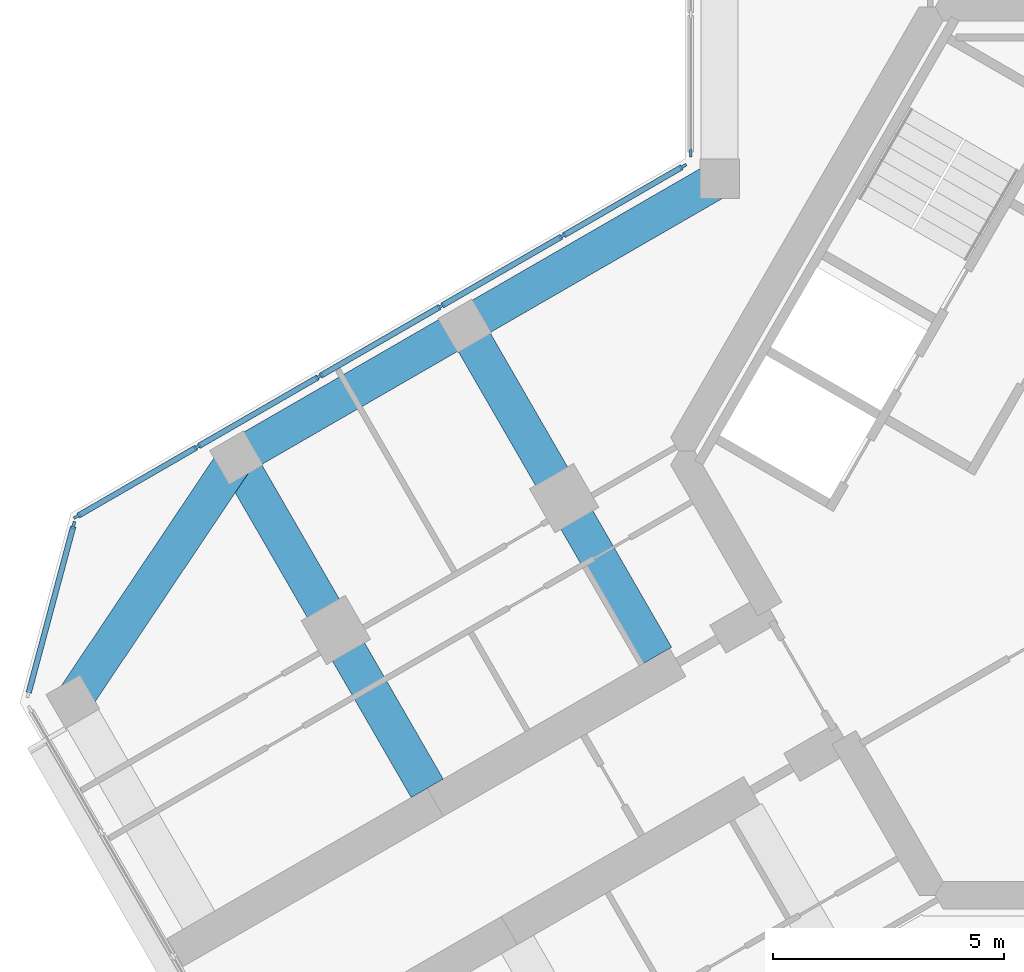
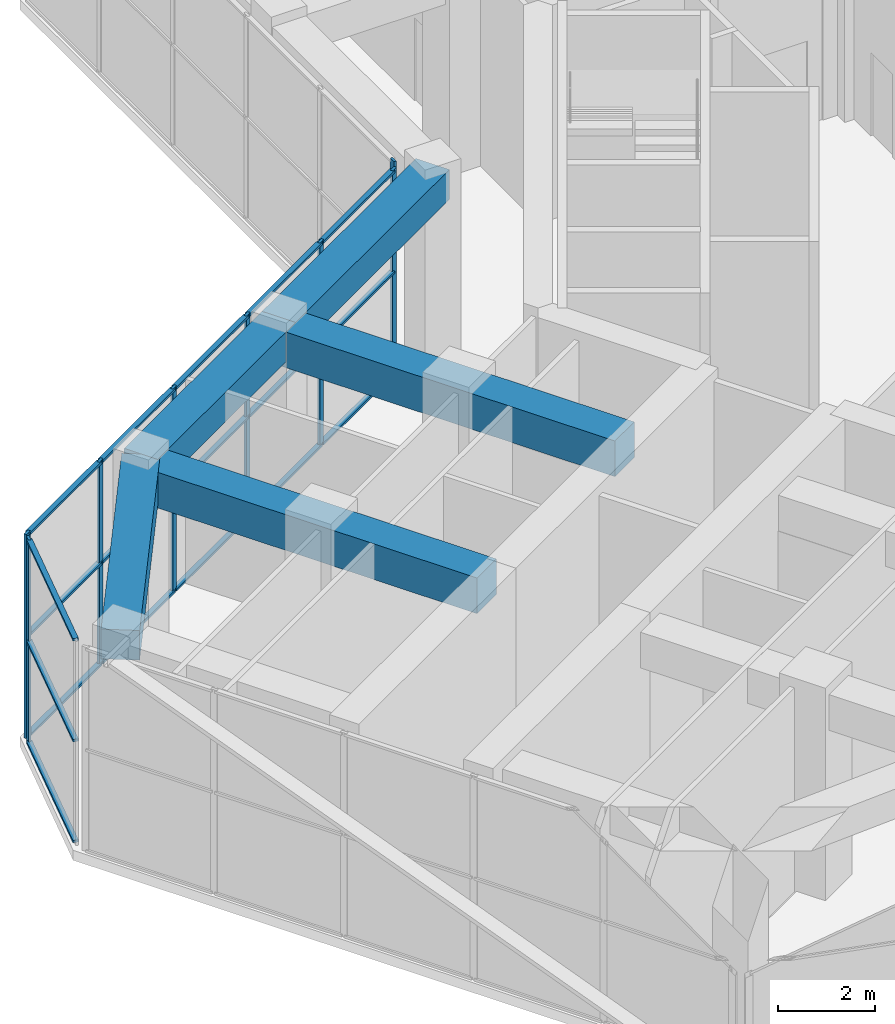
# One storey, part 4 of 16: 26 members, 5 beams, 3 elements without a shape of their own.
"""IFC4 building model written with IfcOpenShell, lengths in metres."""

from ifc_helpers import new_model, si_unit, direction, frame, origin, origin_2d, place, context, subcontext, project, spatial, rectangle, extrude, material, material_profile, profile_set, type_object, element, aggregate, save


model = new_model("IFC4")

# Units and contexts
model_context = context("Model", 3, precision=1e-05, world=origin(), true_north=direction((0.0, 1.0)))
body_context = subcontext(model_context, "Body", "Model", "MODEL_VIEW")
ifc_project = project(units=[si_unit("LENGTHUNIT", "METRE"), si_unit("AREAUNIT", "SQUARE_METRE"), si_unit("VOLUMEUNIT", "CUBIC_METRE"), si_unit("PLANEANGLEUNIT", "RADIAN"), si_unit("MASSUNIT", "GRAM", prefix="KILO")], contexts=[model_context])

# Site, building, storey
site_placement = place(None, origin())
site = spatial("IfcSite", under=ifc_project, at=site_placement, CompositionType="ELEMENT")
building_placement = place(site_placement, origin())
building = spatial("IfcBuilding", under=site, at=building_placement, Name="Kosmar Iwan School Tower", CompositionType="ELEMENT")
storey_placement = place(building_placement, frame((0.0, 0.0, 226.199951171875)))
storey = spatial("IfcBuildingStorey", under=building, at=storey_placement, Name="L57", CompositionType="ELEMENT", Elevation=226.199951171875)

# Curtain wall, member
ifc_material_1 = material(Name="Dark glass in black aluminium frame", Category="aluminium")
curtain_wall_type_1 = type_object("IfcCurtainWallType", Name="Winter garden curtain wall", PredefinedType="USERDEFINED", material=ifc_material_1)
curtain_wall_1_placement = place(storey_placement, origin())
curtain_wall_1 = element("IfcCurtainWall", 1, at=curtain_wall_1_placement, inside=storey, type_object=curtain_wall_type_1, Name="Curtain wall L57-F08", ObjectType="WINTER GARDEN CURTAIN WALL", PredefinedType="USERDEFINED")
ifc_material_2 = material(Name="Black anodised aluminium", Category="aluminium")
ifc_material_profile_1 = material_profile(ifc_material_2, rectangle(XDim=0.06005859375, YDim=0.159912109375, at=origin_2d()), Name="MULLION 60x160")
ifc_profile_set_1 = profile_set([ifc_material_profile_1], Name="Black anodised aluminium")
member_type_1 = type_object("IfcMemberType", Name="Mullion 60x160", PredefinedType="MULLION", material=ifc_profile_set_1)
member_1_placement = place(storey_placement, frame((-10.824951171875, 6.43896484375, 0.0), z_axis=(0.0, 0.0, 1.0), x_axis=(-1.0, 0.0, 0.0)))
member_1 = element("IfcMember", 2, at=member_1_placement, type_object=member_type_1, Name="CW7 mullion 1", PredefinedType="MULLION", context=body_context, shape_type="SweptSolid", body=[
    extrude(rectangle(XDim=0.06005859375, YDim=0.159912109375, at=origin_2d()), origin(), (0.0, 0.0, 1.0), 5.150146484375),
])
aggregate(curtain_wall_1, [member_1])

# Curtain wall, members
curtain_wall_2_placement = place(storey_placement, origin())
curtain_wall_2 = element("IfcCurtainWall", 3, at=curtain_wall_2_placement, inside=storey, type_object=curtain_wall_type_1, Name="Curtain wall L57-F09", ObjectType="WINTER GARDEN CURTAIN WALL", PredefinedType="USERDEFINED")
member_2_placement = place(storey_placement, frame((-10.98876953125, 6.1552734375, 0.0), z_axis=(0.0, 0.0, 1.0), x_axis=(0.500000031258, -0.866025385738, 0.0)))
member_2 = element("IfcMember", 4, at=member_2_placement, type_object=member_type_1, Name="CW7 mullion 1", PredefinedType="MULLION", context=body_context, shape_type="SweptSolid", body=[
    extrude(rectangle(XDim=0.06005859375, YDim=0.159912109375, at=origin_2d()), origin(), (0.0, 0.0, 1.0), 5.150146484375),
])
member_3_placement = place(storey_placement, frame((-13.59375, 4.6513671875, 0.0), z_axis=(0.0, 0.0, 1.0), x_axis=(0.500000031258, -0.866025385738, 0.0)))
member_3 = element("IfcMember", 5, at=member_3_placement, type_object=member_type_1, Name="CW7 mullion 2", PredefinedType="MULLION", context=body_context, shape_type="SweptSolid", body=[
    extrude(rectangle(XDim=0.06005859375, YDim=0.159912109375, at=origin_2d()), origin(), (0.0, 0.0, 1.0), 5.150146484375),
])
member_4_placement = place(storey_placement, frame((-16.224609375, 3.13232421875, 0.0), z_axis=(0.0, 0.0, 1.0), x_axis=(0.500000031258, -0.866025385738, 0.0)))
member_4 = element("IfcMember", 6, at=member_4_placement, type_object=member_type_1, Name="CW7 mullion 3", PredefinedType="MULLION", context=body_context, shape_type="SweptSolid", body=[
    extrude(rectangle(XDim=0.06005859375, YDim=0.159912109375, at=origin_2d()), origin(), (0.0, 0.0, 1.0), 5.150146484375),
])
member_5_placement = place(storey_placement, frame((-18.85546875, 1.613525390625, 0.0), z_axis=(0.0, 0.0, 1.0), x_axis=(0.500000031258, -0.866025385738, 0.0)))
member_5 = element("IfcMember", 7, at=member_5_placement, type_object=member_type_1, Name="CW7 mullion 4", PredefinedType="MULLION", context=body_context, shape_type="SweptSolid", body=[
    extrude(rectangle(XDim=0.06005859375, YDim=0.159912109375, at=origin_2d()), origin(), (0.0, 0.0, 1.0), 5.150146484375),
])
member_6_placement = place(storey_placement, frame((-21.486328125, 0.094482421875, 0.0), z_axis=(0.0, 0.0, 1.0), x_axis=(0.500000031258, -0.866025385738, 0.0)))
member_6 = element("IfcMember", 8, at=member_6_placement, type_object=member_type_1, Name="CW7 mullion 5", PredefinedType="MULLION", context=body_context, shape_type="SweptSolid", body=[
    extrude(rectangle(XDim=0.06005859375, YDim=0.159912109375, at=origin_2d()), origin(), (0.0, 0.0, 1.0), 5.150146484375),
])
member_7_placement = place(storey_placement, frame((-24.091064453125, -1.409423828125, 0.0), z_axis=(0.0, 0.0, 1.0), x_axis=(0.500000031258, -0.866025385738, 0.0)))
member_7 = element("IfcMember", 9, at=member_7_placement, type_object=member_type_1, Name="CW7 mullion 6", PredefinedType="MULLION", context=body_context, shape_type="SweptSolid", body=[
    extrude(rectangle(XDim=0.06005859375, YDim=0.159912109375, at=origin_2d()), origin(), (0.0, 0.0, 1.0), 5.150146484375),
])

# Curtain wall, member
ifc_material_3 = material(Name="Dark glass in black aluminium frame", Category="aluminium")
curtain_wall_type_2 = type_object("IfcCurtainWallType", Name="Chamfer curtain wall dark glass", PredefinedType="USERDEFINED", material=ifc_material_3)
curtain_wall_3_placement = place(storey_placement, origin())
curtain_wall_3 = element("IfcCurtainWall", 10, at=curtain_wall_3_placement, inside=storey, type_object=curtain_wall_type_2, Name="Curtain wall L57-F10", ObjectType="FACETED CURTAIN WALL", PredefinedType="USERDEFINED")
member_8_placement = place(storey_placement, frame((-24.163818359375, -1.59814453125, 0.0), z_axis=(0.0, 0.0, 1.0), x_axis=(0.965925875495, -0.258818861462, 0.0)))
member_8 = element("IfcMember", 11, at=member_8_placement, type_object=member_type_1, Name="CW2 mullion 1", PredefinedType="MULLION", context=body_context, shape_type="SweptSolid", body=[
    extrude(rectangle(XDim=0.06005859375, YDim=0.159912109375, at=origin_2d()), origin(), (0.0, 0.0, 1.0), 5.150146484375),
])

# Beams
ifc_material_4 = material(Name="Concrete C50/60", Category="concrete")
ifc_material_profile_2 = material_profile(ifc_material_4, rectangle(XDim=0.800048828125, YDim=0.75, at=origin_2d()), Name="RC 800x750")
ifc_profile_set_2 = profile_set([ifc_material_profile_2], Name="Concrete C50/60")
beam_type_1 = type_object("IfcBeamType", Name="RC edge beam 800x750", PredefinedType="BEAM", material=ifc_profile_set_2)
beam_1_placement = place(storey_placement, frame((-10.199951171875, 5.888916015625, 4.775146484375), z_axis=(-0.866030912664, -0.49999045822, 0.0), x_axis=(0.49999045822, -0.866030912664, 0.0)))
element("IfcBeam", 12, at=beam_1_placement, inside=storey, type_object=beam_type_1, Name="Edge beam BR1", PredefinedType="BEAM", context=body_context, shape_type="SweptSolid", body=[
    extrude(rectangle(XDim=0.800048828125, YDim=0.75, at=origin_2d()), origin(), (0.0, 0.0, 1.0), 6.36083984375),
])
beam_2_placement = place(storey_placement, frame((-15.708740234375, 2.70849609375, 4.775146484375), z_axis=(-0.866025820012, -0.499999279071, 0.0), x_axis=(0.499999279071, -0.866025820012, 0.0)))
element("IfcBeam", 13, at=beam_2_placement, inside=storey, type_object=beam_type_1, Name="Edge beam BR2", PredefinedType="BEAM", context=body_context, shape_type="SweptSolid", body=[
    extrude(rectangle(XDim=0.800048828125, YDim=0.75, at=origin_2d()), origin(), (0.0, 0.0, 1.0), 5.7001953125),
])
ifc_material_5 = material(Name="Concrete C50/60", Category="concrete")
ifc_material_profile_3 = material_profile(ifc_material_5, rectangle(XDim=0.800048828125, YDim=0.75, at=origin_2d()), Name="RC 800x750")
ifc_profile_set_3 = profile_set([ifc_material_profile_3], Name="Concrete C50/60")
beam_type_2 = type_object("IfcBeamType", Name="RC tip beam 800x750", PredefinedType="BEAM", material=ifc_profile_set_3)
beam_3_placement = place(storey_placement, frame((-20.645263671875, -0.1416015625, 4.775146484375), z_axis=(-0.556827604145, -0.83062808721, 0.0), x_axis=(0.83062808721, -0.556827604145, 0.0)))
element("IfcBeam", 14, at=beam_3_placement, inside=storey, type_object=beam_type_2, Name="Tip beam BR", PredefinedType="BEAM", context=body_context, shape_type="SweptSolid", body=[
    extrude(rectangle(XDim=0.800048828125, YDim=0.75, at=origin_2d()), origin(), (0.0, 0.0, 1.0), 6.3505859375),
])
ifc_material_6 = material(Name="Concrete C50/60", Category="concrete")
ifc_material_profile_4 = material_profile(ifc_material_6, rectangle(XDim=0.800048828125, YDim=0.89990234375, at=origin_2d()), Name="RC 800x900")
ifc_profile_set_4 = profile_set([ifc_material_profile_4], Name="Concrete C50/60")
beam_type_3 = type_object("IfcBeamType", Name="RC transverse beam 800x900", PredefinedType="BEAM", material=ifc_profile_set_4)
beam_4_placement = place(storey_placement, frame((-15.708740234375, 2.70849609375, 4.699951171875), z_axis=(0.499996545922, -0.866027397988, 0.0), x_axis=(0.866027397988, 0.499996545922, 0.0)))
element("IfcBeam", 15, at=beam_4_placement, inside=storey, type_object=beam_type_3, Name="Transverse beam BR1", PredefinedType="BEAM", context=body_context, shape_type="SweptSolid", body=[
    extrude(rectangle(XDim=0.800048828125, YDim=0.89990234375, at=origin_2d()), origin(), (0.0, 0.0, 1.0), 8.25),
])
beam_5_placement = place(storey_placement, frame((-20.645263671875, -0.1416015625, 4.699951171875), z_axis=(0.500009360108, -0.866019999656, 0.0), x_axis=(0.866019999656, 0.500009360108, 0.0)))
element("IfcBeam", 16, at=beam_5_placement, inside=storey, type_object=beam_type_3, Name="Transverse beam BR2", PredefinedType="BEAM", context=body_context, shape_type="SweptSolid", body=[
    extrude(rectangle(XDim=0.800048828125, YDim=0.89990234375, at=origin_2d()), origin(), (0.0, 0.0, 1.0), 8.249755859375),
])

# Member
ifc_material_7 = material(Name="Black anodised aluminium", Category="aluminium")
ifc_material_profile_5 = material_profile(ifc_material_7, rectangle(XDim=0.1201171875, YDim=0.06005859375, at=origin_2d()), Name="TRANSOM 60x120")
ifc_profile_set_5 = profile_set([ifc_material_profile_5], Name="Black anodised aluminium")
member_type_2 = type_object("IfcMemberType", Name="Transom 60x120", PredefinedType="USERDEFINED", material=ifc_profile_set_5)
member_9_placement = place(storey_placement, frame((-11.014892578125, 6.14013671875, 0.030029296875), z_axis=(-0.866017313224, -0.500014013, 0.0), x_axis=(0.500014013, -0.866017313224, 0.0)))
member_9 = element("IfcMember", 17, at=member_9_placement, type_object=member_type_2, Name="CW7 transom 1.1", ObjectType="TRANSOM", PredefinedType="USERDEFINED", context=body_context, shape_type="SweptSolid", body=[
    extrude(rectangle(XDim=0.1201171875, YDim=0.06005859375, at=origin_2d()), origin(), (0.0, 0.0, 1.0), 2.94775390625),
])

member_10_placement = place(storey_placement, frame((-11.014892578125, 6.14013671875, 2.574951171875), z_axis=(-0.866017313224, -0.500014013, 0.0), x_axis=(0.500014013, -0.866017313224, 0.0)))
member_10 = element("IfcMember", 18, at=member_10_placement, type_object=member_type_2, Name="CW7 transom 1.2", ObjectType="TRANSOM", PredefinedType="USERDEFINED", context=body_context, shape_type="SweptSolid", body=[
    extrude(rectangle(XDim=0.1201171875, YDim=0.06005859375, at=origin_2d()), origin(), (0.0, 0.0, 1.0), 2.94775390625),
])

member_11_placement = place(storey_placement, frame((-11.014892578125, 6.14013671875, 5.1201171875), z_axis=(-0.866017313224, -0.500014013, 0.0), x_axis=(0.500014013, -0.866017313224, 0.0)))
member_11 = element("IfcMember", 19, at=member_11_placement, type_object=member_type_2, Name="CW7 transom 1.3", ObjectType="TRANSOM", PredefinedType="USERDEFINED", context=body_context, shape_type="SweptSolid", body=[
    extrude(rectangle(XDim=0.1201171875, YDim=0.06005859375, at=origin_2d()), origin(), (0.0, 0.0, 1.0), 2.94775390625),
])

member_12_placement = place(storey_placement, frame((-13.61962890625, 4.63623046875, 0.030029296875), z_axis=(-0.866044960985, -0.499966124405, 0.0), x_axis=(0.499966124405, -0.866044960985, 0.0)))
member_12 = element("IfcMember", 20, at=member_12_placement, type_object=member_type_2, Name="CW7 transom 2.1", ObjectType="TRANSOM", PredefinedType="USERDEFINED", context=body_context, shape_type="SweptSolid", body=[
    extrude(rectangle(XDim=0.1201171875, YDim=0.06005859375, at=origin_2d()), origin(), (0.0, 0.0, 1.0), 2.977783203125),
])

member_13_placement = place(storey_placement, frame((-13.61962890625, 4.63623046875, 2.574951171875), z_axis=(-0.866044960985, -0.499966124405, 0.0), x_axis=(0.499966124405, -0.866044960985, 0.0)))
member_13 = element("IfcMember", 21, at=member_13_placement, type_object=member_type_2, Name="CW7 transom 2.2", ObjectType="TRANSOM", PredefinedType="USERDEFINED", context=body_context, shape_type="SweptSolid", body=[
    extrude(rectangle(XDim=0.1201171875, YDim=0.06005859375, at=origin_2d()), origin(), (0.0, 0.0, 1.0), 2.977783203125),
])

member_14_placement = place(storey_placement, frame((-13.61962890625, 4.63623046875, 5.1201171875), z_axis=(-0.866044960985, -0.499966124405, 0.0), x_axis=(0.499966124405, -0.866044960985, 0.0)))
member_14 = element("IfcMember", 22, at=member_14_placement, type_object=member_type_2, Name="CW7 transom 2.3", ObjectType="TRANSOM", PredefinedType="USERDEFINED", context=body_context, shape_type="SweptSolid", body=[
    extrude(rectangle(XDim=0.1201171875, YDim=0.06005859375, at=origin_2d()), origin(), (0.0, 0.0, 1.0), 2.977783203125),
])

member_15_placement = place(storey_placement, frame((-16.25048828125, 3.117431640625, 0.030029296875), z_axis=(-0.866009459781, -0.500027614807, 0.0), x_axis=(0.500027614807, -0.866009459781, 0.0)))
member_15 = element("IfcMember", 23, at=member_15_placement, type_object=member_type_2, Name="CW7 transom 3.1", ObjectType="TRANSOM", PredefinedType="USERDEFINED", context=body_context, shape_type="SweptSolid", body=[
    extrude(rectangle(XDim=0.1201171875, YDim=0.06005859375, at=origin_2d()), origin(), (0.0, 0.0, 1.0), 2.977783203125),
])

member_16_placement = place(storey_placement, frame((-16.25048828125, 3.117431640625, 2.574951171875), z_axis=(-0.866009459781, -0.500027614807, 0.0), x_axis=(0.500027614807, -0.866009459781, 0.0)))
member_16 = element("IfcMember", 24, at=member_16_placement, type_object=member_type_2, Name="CW7 transom 3.2", ObjectType="TRANSOM", PredefinedType="USERDEFINED", context=body_context, shape_type="SweptSolid", body=[
    extrude(rectangle(XDim=0.1201171875, YDim=0.06005859375, at=origin_2d()), origin(), (0.0, 0.0, 1.0), 2.977783203125),
])

member_17_placement = place(storey_placement, frame((-16.25048828125, 3.117431640625, 5.1201171875), z_axis=(-0.866009459781, -0.500027614807, 0.0), x_axis=(0.500027614807, -0.866009459781, 0.0)))
member_17 = element("IfcMember", 25, at=member_17_placement, type_object=member_type_2, Name="CW7 transom 3.3", ObjectType="TRANSOM", PredefinedType="USERDEFINED", context=body_context, shape_type="SweptSolid", body=[
    extrude(rectangle(XDim=0.1201171875, YDim=0.06005859375, at=origin_2d()), origin(), (0.0, 0.0, 1.0), 2.977783203125),
])

member_18_placement = place(storey_placement, frame((-18.88134765625, 1.598388671875, 0.030029296875), z_axis=(-0.866044960985, -0.499966124405, 0.0), x_axis=(0.499966124405, -0.866044960985, 0.0)))
member_18 = element("IfcMember", 26, at=member_18_placement, type_object=member_type_2, Name="CW7 transom 4.1", ObjectType="TRANSOM", PredefinedType="USERDEFINED", context=body_context, shape_type="SweptSolid", body=[
    extrude(rectangle(XDim=0.1201171875, YDim=0.06005859375, at=origin_2d()), origin(), (0.0, 0.0, 1.0), 2.977783203125),
])

member_19_placement = place(storey_placement, frame((-18.88134765625, 1.598388671875, 2.574951171875), z_axis=(-0.866044960985, -0.499966124405, 0.0), x_axis=(0.499966124405, -0.866044960985, 0.0)))
member_19 = element("IfcMember", 27, at=member_19_placement, type_object=member_type_2, Name="CW7 transom 4.2", ObjectType="TRANSOM", PredefinedType="USERDEFINED", context=body_context, shape_type="SweptSolid", body=[
    extrude(rectangle(XDim=0.1201171875, YDim=0.06005859375, at=origin_2d()), origin(), (0.0, 0.0, 1.0), 2.977783203125),
])

member_20_placement = place(storey_placement, frame((-18.88134765625, 1.598388671875, 5.1201171875), z_axis=(-0.866044960985, -0.499966124405, 0.0), x_axis=(0.499966124405, -0.866044960985, 0.0)))
member_20 = element("IfcMember", 28, at=member_20_placement, type_object=member_type_2, Name="CW7 transom 4.3", ObjectType="TRANSOM", PredefinedType="USERDEFINED", context=body_context, shape_type="SweptSolid", body=[
    extrude(rectangle(XDim=0.1201171875, YDim=0.06005859375, at=origin_2d()), origin(), (0.0, 0.0, 1.0), 2.977783203125),
])

member_21_placement = place(storey_placement, frame((-21.51220703125, 0.07958984375, 0.030029296875), z_axis=(-0.866038018385, -0.499978150234, 0.0), x_axis=(0.499978150234, -0.866038018385, 0.0)))
member_21 = element("IfcMember", 29, at=member_21_placement, type_object=member_type_2, Name="CW7 transom 5.1", ObjectType="TRANSOM", PredefinedType="USERDEFINED", context=body_context, shape_type="SweptSolid", body=[
    extrude(rectangle(XDim=0.1201171875, YDim=0.06005859375, at=origin_2d()), origin(), (0.0, 0.0, 1.0), 2.947998046875),
])

member_22_placement = place(storey_placement, frame((-21.51220703125, 0.07958984375, 2.574951171875), z_axis=(-0.866038018385, -0.499978150234, 0.0), x_axis=(0.499978150234, -0.866038018385, 0.0)))
member_22 = element("IfcMember", 30, at=member_22_placement, type_object=member_type_2, Name="CW7 transom 5.2", ObjectType="TRANSOM", PredefinedType="USERDEFINED", context=body_context, shape_type="SweptSolid", body=[
    extrude(rectangle(XDim=0.1201171875, YDim=0.06005859375, at=origin_2d()), origin(), (0.0, 0.0, 1.0), 2.947998046875),
])

member_23_placement = place(storey_placement, frame((-21.51220703125, 0.07958984375, 5.1201171875), z_axis=(-0.866038018385, -0.499978150234, 0.0), x_axis=(0.499978150234, -0.866038018385, 0.0)))
member_23 = element("IfcMember", 31, at=member_23_placement, type_object=member_type_2, Name="CW7 transom 5.3", ObjectType="TRANSOM", PredefinedType="USERDEFINED", context=body_context, shape_type="SweptSolid", body=[
    extrude(rectangle(XDim=0.1201171875, YDim=0.06005859375, at=origin_2d()), origin(), (0.0, 0.0, 1.0), 2.947998046875),
])

aggregate(curtain_wall_2, [member_2, member_3, member_4, member_5, member_6, member_7, member_9, member_10, member_11, member_12, member_13, member_14, member_15, member_16, member_17, member_18, member_19, member_20, member_21, member_22, member_23])

member_24_placement = place(storey_placement, frame((-24.17138671875, -1.627197265625, 0.030029296875), z_axis=(-0.258843273983, -0.965919333854, 0.0), x_axis=(0.965919333854, -0.258843273983, 0.0)))
member_24 = element("IfcMember", 32, at=member_24_placement, type_object=member_type_2, Name="CW2 transom 1.1", ObjectType="TRANSOM", PredefinedType="USERDEFINED", context=body_context, shape_type="SweptSolid", body=[
    extrude(rectangle(XDim=0.1201171875, YDim=0.06005859375, at=origin_2d()), origin(), (0.0, 0.0, 1.0), 3.718994140625),
])

member_25_placement = place(storey_placement, frame((-24.17138671875, -1.627197265625, 2.574951171875), z_axis=(-0.258843273983, -0.965919333854, 0.0), x_axis=(0.965919333854, -0.258843273983, 0.0)))
member_25 = element("IfcMember", 33, at=member_25_placement, type_object=member_type_2, Name="CW2 transom 1.2", ObjectType="TRANSOM", PredefinedType="USERDEFINED", context=body_context, shape_type="SweptSolid", body=[
    extrude(rectangle(XDim=0.1201171875, YDim=0.06005859375, at=origin_2d()), origin(), (0.0, 0.0, 1.0), 3.718994140625),
])

member_26_placement = place(storey_placement, frame((-24.17138671875, -1.627197265625, 5.1201171875), z_axis=(-0.258843273983, -0.965919333854, 0.0), x_axis=(0.965919333854, -0.258843273983, 0.0)))
member_26 = element("IfcMember", 34, at=member_26_placement, type_object=member_type_2, Name="CW2 transom 1.3", ObjectType="TRANSOM", PredefinedType="USERDEFINED", context=body_context, shape_type="SweptSolid", body=[
    extrude(rectangle(XDim=0.1201171875, YDim=0.06005859375, at=origin_2d()), origin(), (0.0, 0.0, 1.0), 3.718994140625),
])

aggregate(curtain_wall_3, [member_8, member_24, member_25, member_26])

save(model, "model.ifc")
